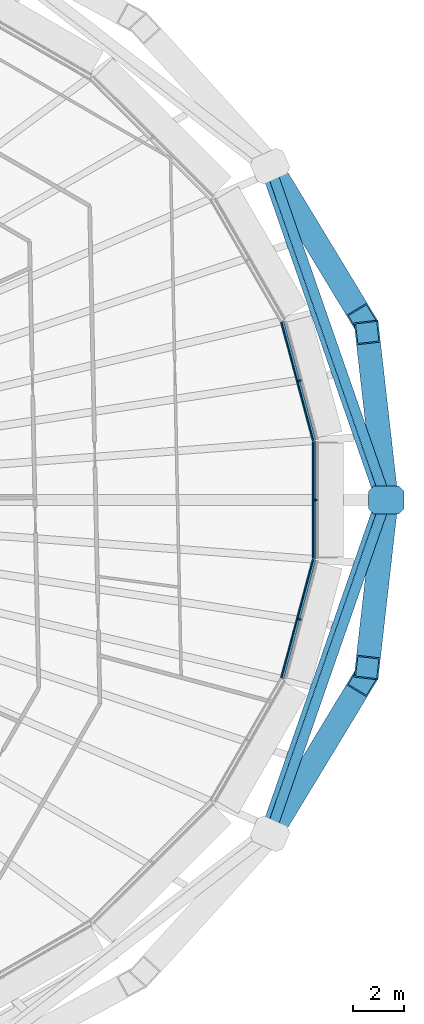
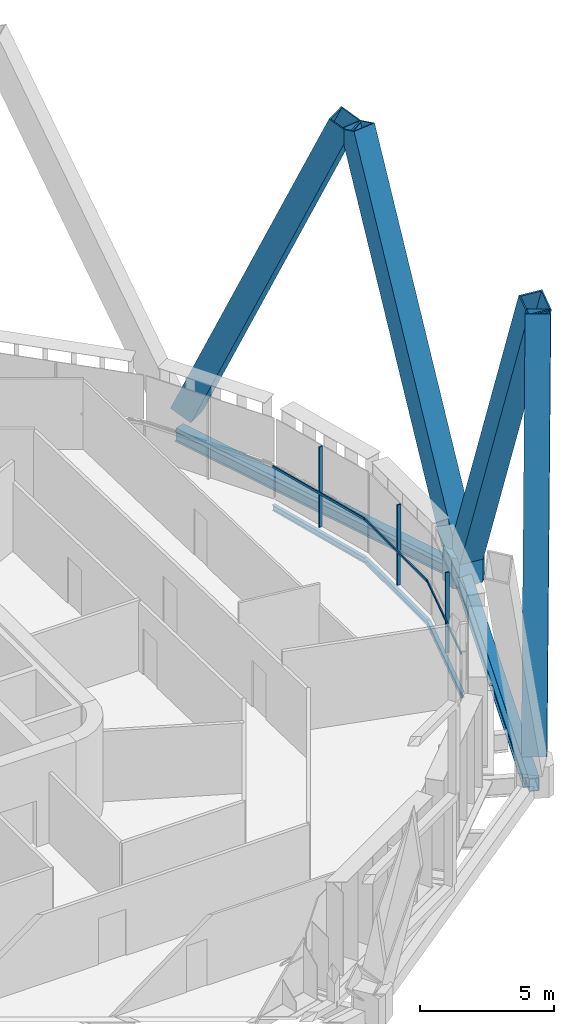
# One storey, part 11 of 25: 11 members, 7 beams, 3 elements without a shape of their own.
"""IFC4 building model written with IfcOpenShell, lengths in metres."""

from ifc_helpers import new_model, si_unit, direction, frame, origin, origin_2d, place, context, subcontext, project, spatial, polyline, rectangle, hollow_rectangle, i_section, outline, extrude, material, layer, layer_set, material_profile, profile_set, type_object, element, aggregate, save


model = new_model("IFC4")

# Units and contexts
model_context = context("Model", 3, precision=1e-05, world=origin(), true_north=direction((0.0, 1.0)))
body_context = subcontext(model_context, "Body", "Model", "MODEL_VIEW")
ifc_project = project(units=[si_unit("LENGTHUNIT", "METRE"), si_unit("AREAUNIT", "SQUARE_METRE"), si_unit("VOLUMEUNIT", "CUBIC_METRE"), si_unit("PLANEANGLEUNIT", "RADIAN"), si_unit("MASSUNIT", "GRAM", prefix="KILO")], contexts=[model_context])

# Site, building, storey
site_placement = place(None, origin())
site = spatial("IfcSite", under=ifc_project, at=site_placement, CompositionType="ELEMENT")
building_placement = place(site_placement, origin())
building = spatial("IfcBuilding", under=site, at=building_placement, Name="Sahrelin Media Tower", CompositionType="ELEMENT")
storey_placement = place(building_placement, frame((0.0, 0.0, 79.800048828125)))
storey = spatial("IfcBuildingStorey", under=building, at=storey_placement, Name="L14", CompositionType="ELEMENT", Elevation=79.800048828125)

# Members
ifc_material_1 = material(Name="Steel S460", Category="steel")
ifc_material_profile_1 = material_profile(ifc_material_1, hollow_rectangle(XDim=0.949951171875, YDim=0.949951171875, WallThickness=0.054931640625, at=origin_2d()), Name="Diagrid diagonal DG2")
ifc_profile_set_1 = profile_set([ifc_material_profile_1], Name="Steel S460")
member_type_1 = type_object("IfcMemberType", Name="Diagrid diagonal DG2", PredefinedType="BRACE", material=ifc_profile_set_1)
member_1_placement = place(storey_placement, frame((34.219970703125, 0.28759765625, 0.699951171875), z_axis=(-0.043086432688, 0.37969094729, 0.924109486946), x_axis=(-0.993622935851, -0.112753985968, 0.0)))
element("IfcMember", 1, at=member_1_placement, inside=storey, type_object=member_type_1, Name="Diagrid diagonal D02-00", PredefinedType="BRACE", context=body_context, shape_type="SweptSolid", body=[
    extrude(hollow_rectangle(XDim=0.949951171875, YDim=0.949951171875, WallThickness=0.054931640625, at=origin_2d()), origin(), (0.0, 0.0, 1.0), 16.66455078125),
])
for number, where, z_axis, x_axis, name in (
    (2, (29.822265625, 12.92041015625, 0.699951171875), (0.207569611633, -0.342492038175, 0.916304567332), (0.855199293174, 0.518299304413, 0.0), "Diagrid diagonal D02-01"),
    (3, (29.822265625, -12.92041015625, 0.699951171875), (0.207569611633, 0.342492038175, 0.916304567332), (-0.855199293174, 0.518299304413, 0.0), "Diagrid diagonal D02-22"),
):
    element("IfcMember", number, at=place(storey_placement, frame(where, z_axis=z_axis, x_axis=x_axis)), inside=storey, type_object=member_type_1, Name=name, PredefinedType="BRACE", context=body_context, shape_type="SweptSolid", body=[
        extrude(hollow_rectangle(XDim=0.949951171875, YDim=0.949951171875, WallThickness=0.054931640625, at=origin_2d()), origin(), (0.0, 0.0, 1.0), 16.806640625),
    ])
member_2_placement = place(storey_placement, frame((34.219970703125, -0.28759765625, 0.699951171875), z_axis=(-0.043086432688, -0.37969094729, 0.924109486946), x_axis=(0.993622935851, -0.112753985968, 0.0)))
element("IfcMember", 4, at=member_2_placement, inside=storey, type_object=member_type_1, Name="Diagrid diagonal D02-23", PredefinedType="BRACE", context=body_context, shape_type="SweptSolid", body=[
    extrude(hollow_rectangle(XDim=0.949951171875, YDim=0.949951171875, WallThickness=0.054931640625, at=origin_2d()), origin(), (0.0, 0.0, 1.0), 16.66455078125),
])
ifc_material_profile_2 = material_profile(ifc_material_1, outline(polyline([(0.5, -0.550048828125), (0.699951171875, -0.35009765625), (0.699951171875, 0.35009765625), (0.5, 0.550048828125), (-0.5, 0.550048828125), (-0.699951171875, 0.35009765625), (-0.699951171875, -0.35009765625), (-0.5, -0.550048828125), (0.5, -0.550048828125)])), Name="Diagrid node block 1400")
ifc_profile_set_2 = profile_set([ifc_material_profile_2], Name="Steel S460")
member_type_2 = type_object("IfcMemberType", Name="Diagrid node block 1400", PredefinedType="USERDEFINED", material=ifc_profile_set_2)
member_3_placement = place(storey_placement, frame((34.252685546875, 0.0, -0.699951171875), z_axis=(0.0, 0.0, 1.0), x_axis=(1.0, 0.0, 0.0)))
element("IfcMember", 5, at=member_3_placement, inside=storey, type_object=member_type_2, Name="Diagrid node N02-00", ObjectType="NODE", PredefinedType="USERDEFINED", context=body_context, shape_type="SweptSolid", body=[
    extrude(outline(polyline([(0.5, -0.550048828125), (0.699951171875, -0.35009765625), (0.699951171875, 0.35009765625), (0.5, 0.550048828125), (-0.5, 0.550048828125), (-0.699951171875, 0.35009765625), (-0.699951171875, -0.35009765625), (-0.5, -0.550048828125), (0.5, -0.550048828125)])), origin(), (0.0, 0.0, 1.0), 1.39990234375),
])

# Beams
ifc_material_profile_3 = material_profile(ifc_material_1, hollow_rectangle(XDim=0.39990234375, YDim=0.60009765625, WallThickness=0.030029296875, at=origin_2d()), Name="Diagrid ring beam RB1")
ifc_profile_set_3 = profile_set([ifc_material_profile_3], Name="Steel S460")
beam_type_1 = type_object("IfcBeamType", Name="Diagrid ring beam RB1", PredefinedType="BEAM", material=ifc_profile_set_3)
for number, where, z_axis, x_axis, name in (
    (6, (34.252685546875, 0.0, -0.449951171875), (-0.328783158081, 0.944405439926, 0.0), (-0.944405439926, -0.328783158081, 0.0), "Diagrid ring beam RB02-00"),
    (7, (29.66357421875, -13.181884765625, -0.449951171875), (0.328783158081, 0.944405439926, 0.0), (-0.944405439926, 0.328783158081, 0.0), "Diagrid ring beam RB02-11"),
):
    element("IfcBeam", number, at=place(storey_placement, frame(where, z_axis=z_axis, x_axis=x_axis)), inside=storey, type_object=beam_type_1, Name=name, PredefinedType="BEAM", context=body_context, shape_type="SweptSolid", body=[
        extrude(hollow_rectangle(XDim=0.39990234375, YDim=0.60009765625, WallThickness=0.030029296875, at=origin_2d()), origin(), (0.0, 0.0, 1.0), 13.957763671875),
    ])
ifc_material_2 = material(Name="Steel S355", Category="steel")
ifc_material_profile_4 = material_profile(ifc_material_2, i_section(OverallWidth=0.14599609375, OverallDepth=0.25146484375, WebThickness=0.006103515625, FlangeThickness=0.008544921875, FilletRadius=0.007568359375, at=origin_2d()), Name="UB 254x146x31")
ifc_profile_set_4 = profile_set([ifc_material_profile_4], Name="Steel S355")
beam_type_2 = type_object("IfcBeamType", Name="Edge beam EB1", PredefinedType="BEAM", material=ifc_profile_set_4)
beam_placement = place(storey_placement, frame((31.402587890625, 2.31982421875, -0.275634765625), z_axis=(0.0, -1.0, 0.0), x_axis=(1.0, 0.0, 0.0)))
element("IfcBeam", 8, at=beam_placement, inside=storey, type_object=beam_type_2, Name="Edge beam L14-01", PredefinedType="BEAM", context=body_context, shape_type="SweptSolid", body=[
    extrude(i_section(OverallWidth=0.14599609375, OverallDepth=0.25146484375, WebThickness=0.006103515625, FlangeThickness=0.008544921875, FilletRadius=0.007568359375, at=origin_2d()), origin(), (0.0, 0.0, 1.0), 4.6396484375),
])
for number, where, z_axis, x_axis, name in (
    (9, (31.398681640625, -2.348388671875, -0.275634765625), (-0.258767078981, -0.965939749071, 0.0), (0.965939749071, -0.258767078981, 0.0), "Edge beam L14-02"),
    (10, (30.14208984375, 7.0390625, -0.275634765625), (0.258767078981, -0.965939749071, 0.0), (0.965939749071, 0.258767078981, 0.0), "Edge beam L14-24"),
):
    element("IfcBeam", number, at=place(storey_placement, frame(where, z_axis=z_axis, x_axis=x_axis)), inside=storey, type_object=beam_type_2, Name=name, PredefinedType="BEAM", context=body_context, shape_type="SweptSolid", body=[
        extrude(i_section(OverallWidth=0.14599609375, OverallDepth=0.25146484375, WebThickness=0.006103515625, FlangeThickness=0.008544921875, FilletRadius=0.007568359375, at=origin_2d()), origin(), (0.0, 0.0, 1.0), 4.85595703125),
    ])

# Curtain wall, member
ifc_material_3 = material(Name="Champagne anodised aluminium 6063-T6", Category="aluminium")
ifc_layer = layer(ifc_material_3, 0.14990234375)
ifc_layer_set = layer_set([ifc_layer], Name="Tower ribbon curtain wall")
curtain_wall_type = type_object("IfcCurtainWallType", Name="Tower ribbon curtain wall", PredefinedType="NOTDEFINED", material=ifc_layer_set)
curtain_wall_1_placement = place(storey_placement, frame((31.552490234375, 0.0, 0.0), z_axis=(0.0, 0.0, 1.0), x_axis=(1.0, 0.0, 0.0)))
curtain_wall_1 = element("IfcCurtainWall", 11, at=curtain_wall_1_placement, inside=storey, type_object=curtain_wall_type, Name="L14:CW:L14-00", PredefinedType="NOTDEFINED")
ifc_material_profile_5 = material_profile(ifc_material_3, rectangle(XDim=0.06005859375, YDim=0.14990234375, at=origin_2d()), Name="Mullion 60x150")
ifc_profile_set_5 = profile_set([ifc_material_profile_5], Name="Champagne anodised aluminium 6063-T6")
member_type_3 = type_object("IfcMemberType", Name="Mullion 60x150 CW1", PredefinedType="MULLION", material=ifc_profile_set_5)
member_4_placement = place(storey_placement, frame((31.45751953125, 0.0, 0.0), z_axis=(0.0, 0.0, 1.0), x_axis=(0.0, 1.0, 0.0)))
member_4 = element("IfcMember", 12, at=member_4_placement, type_object=member_type_3, Name="L14:CWM:L14-00", PredefinedType="MULLION", context=body_context, shape_type="SweptSolid", body=[
    extrude(rectangle(XDim=0.06005859375, YDim=0.14990234375, at=origin_2d()), origin(), (0.0, 0.0, 1.0), 3.6484375),
])

curtain_wall_2_placement = place(storey_placement, frame((30.915283203125, 4.732666015625, 0.0), z_axis=(0.0, 0.0, 1.0), x_axis=(1.0, 0.0, 0.0)))
curtain_wall_2 = element("IfcCurtainWall", 13, at=curtain_wall_2_placement, inside=storey, type_object=curtain_wall_type, Name="L14:CW:L14-01", PredefinedType="NOTDEFINED")
member_5_placement = place(storey_placement, frame((30.823486328125, 4.7080078125, 0.0), z_axis=(0.0, 0.0, 1.0), x_axis=(-0.258822416818, 0.965924922834, 0.0)))
member_5 = element("IfcMember", 14, at=member_5_placement, type_object=member_type_3, Name="L14:CWM:L14-01", PredefinedType="MULLION", context=body_context, shape_type="SweptSolid", body=[
    extrude(rectangle(XDim=0.06005859375, YDim=0.14990234375, at=origin_2d()), origin(), (0.0, 0.0, 1.0), 3.6484375),
])

curtain_wall_3_placement = place(storey_placement, frame((30.915283203125, -4.732666015625, 0.0), z_axis=(0.0, 0.0, 1.0), x_axis=(1.0, 0.0, 0.0)))
curtain_wall_3 = element("IfcCurtainWall", 15, at=curtain_wall_3_placement, inside=storey, type_object=curtain_wall_type, Name="L14:CW:L14-23", PredefinedType="NOTDEFINED")
member_6_placement = place(storey_placement, frame((30.823486328125, -4.7080078125, 0.0), z_axis=(0.0, 0.0, 1.0), x_axis=(0.258822416818, 0.965924922834, 0.0)))
member_6 = element("IfcMember", 16, at=member_6_placement, type_object=member_type_3, Name="L14:CWM:L14-23", PredefinedType="MULLION", context=body_context, shape_type="SweptSolid", body=[
    extrude(rectangle(XDim=0.06005859375, YDim=0.14990234375, at=origin_2d()), origin(), (0.0, 0.0, 1.0), 3.6484375),
])

# Beams
ifc_material_profile_6 = material_profile(ifc_material_2, i_section(OverallWidth=0.1904296875, OverallDepth=0.45703125, WebThickness=0.009033203125, FlangeThickness=0.014404296875, FilletRadius=0.01025390625, at=origin_2d()), Name="UB 457x191x74")
ifc_profile_set_6 = profile_set([ifc_material_profile_6], Name="Steel S355")
beam_type_3 = type_object("IfcBeamType", Name="Tie chord TC5", PredefinedType="BEAM", material=ifc_profile_set_6)
for number, where, z_axis, x_axis, name in (
    (17, (33.934814453125, 0.0, -0.378662109375), (-0.32878479217, -0.944404871036, 0.0), (0.944404871036, -0.32878479217, 0.0), "Tie chord L14-01"),
    (18, (29.409423828125, 12.998779296875, -0.378662109375), (0.32878479217, -0.944404871036, 0.0), (0.944404871036, 0.32878479217, 0.0), "Tie chord L14-12"),
):
    element("IfcBeam", number, at=place(storey_placement, frame(where, z_axis=z_axis, x_axis=x_axis)), inside=storey, type_object=beam_type_3, Name=name, PredefinedType="BEAM", context=body_context, shape_type="SweptSolid", body=[
        extrude(i_section(OverallWidth=0.1904296875, OverallDepth=0.45703125, WebThickness=0.009033203125, FlangeThickness=0.014404296875, FilletRadius=0.01025390625, at=origin_2d()), origin(), (0.0, 0.0, 1.0), 13.763916015625),
    ])

# Member
ifc_material_profile_7 = material_profile(ifc_material_3, rectangle(XDim=0.050048828125, YDim=0.10009765625, at=origin_2d()), Name="Transom 50x100")
ifc_profile_set_7 = profile_set([ifc_material_profile_7], Name="Champagne anodised aluminium 6063-T6")
member_type_4 = type_object("IfcMemberType", Name="Transom 50x100 CW1", PredefinedType="USERDEFINED", material=ifc_profile_set_7)
member_7_placement = place(storey_placement, frame((31.357666015625, -2.30419921875, 1.599853515625), z_axis=(0.0, 1.0, 0.0), x_axis=(-1.0, 0.0, 0.0)))
member_7 = element("IfcMember", 19, at=member_7_placement, type_object=member_type_4, Name="L14:CWT:L14-00", ObjectType="TRANSOM", PredefinedType="USERDEFINED", context=body_context, shape_type="SweptSolid", body=[
    extrude(rectangle(XDim=0.050048828125, YDim=0.10009765625, at=origin_2d()), origin(), (0.0, 0.0, 1.0), 4.6083984375),
])

aggregate(curtain_wall_1, [member_4, member_7])

member_8_placement = place(storey_placement, frame((31.351318359375, 2.35205078125, 1.599853515625), z_axis=(-0.258837260833, 0.965920945215, 0.0), x_axis=(-0.965920945215, -0.258837260833, 0.0)))
member_8 = element("IfcMember", 20, at=member_8_placement, type_object=member_type_4, Name="L14:CWT:L14-01", ObjectType="TRANSOM", PredefinedType="USERDEFINED", context=body_context, shape_type="SweptSolid", body=[
    extrude(rectangle(XDim=0.050048828125, YDim=0.10009765625, at=origin_2d()), origin(), (0.0, 0.0, 1.0), 4.824462890625),
])

aggregate(curtain_wall_2, [member_5, member_8])

member_9_placement = place(storey_placement, frame((30.1025390625, -7.01220703125, 1.599853515625), z_axis=(0.258837260833, 0.965920945215, 0.0), x_axis=(-0.965920945215, 0.258837260833, 0.0)))
member_9 = element("IfcMember", 21, at=member_9_placement, type_object=member_type_4, Name="L14:CWT:L14-23", ObjectType="TRANSOM", PredefinedType="USERDEFINED", context=body_context, shape_type="SweptSolid", body=[
    extrude(rectangle(XDim=0.050048828125, YDim=0.10009765625, at=origin_2d()), origin(), (0.0, 0.0, 1.0), 4.824462890625),
])

aggregate(curtain_wall_3, [member_6, member_9])

save(model, "model.ifc")
